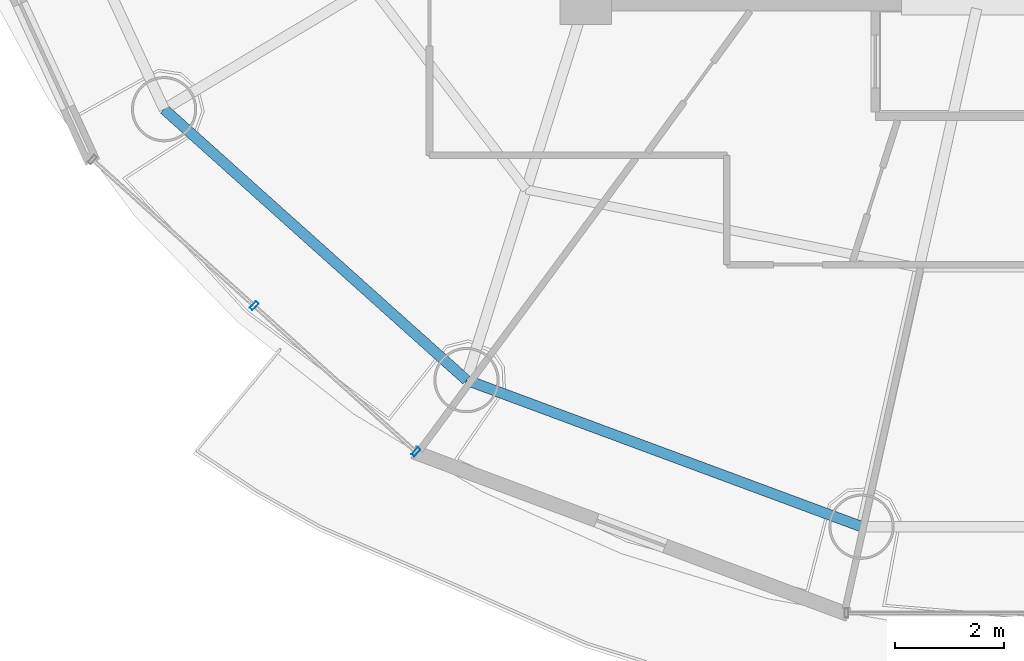
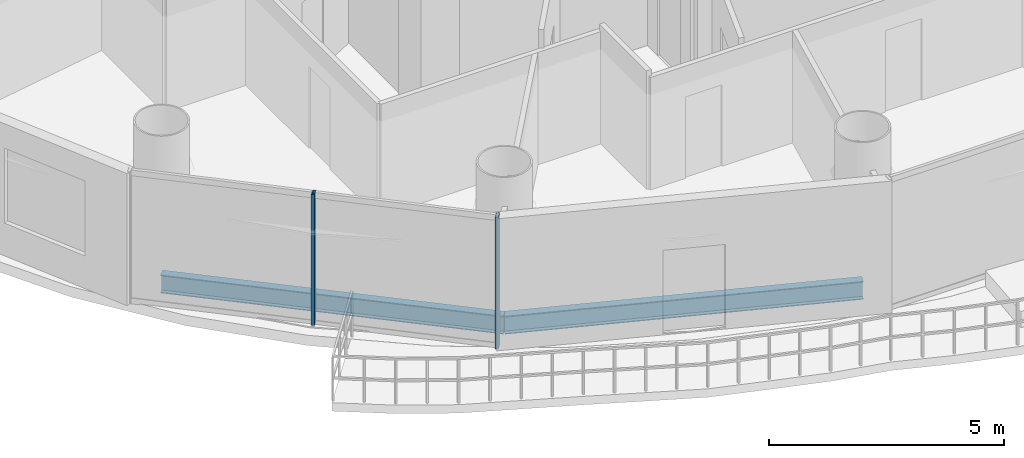
# One storey, part 2 of 27: 2 beams, 2 members, 1 element without a shape of its own.
"""IFC4 building model written with IfcOpenShell, lengths in metres."""

from ifc_helpers import new_model, si_unit, direction, frame, origin, origin_2d, place, context, subcontext, project, spatial, hollow_rectangle, i_section, extrude, source, transform, mapped, material, material_profile, profile_set, type_object, element, aggregate, save


model = new_model("IFC4")

# Units and contexts
model_context = context("Model", 3, precision=1e-05, world=origin(), true_north=direction((-0.2419218956, 0.970295726276)))
body_context = subcontext(model_context, "Body", "Model", "MODEL_VIEW")
ifc_project = project(units=[si_unit("LENGTHUNIT", "METRE"), si_unit("AREAUNIT", "SQUARE_METRE"), si_unit("VOLUMEUNIT", "CUBIC_METRE"), si_unit("PLANEANGLEUNIT", "RADIAN"), si_unit("MASSUNIT", "GRAM", prefix="KILO")], contexts=[model_context])

# Site, building, storey
site_placement = place(None, origin())
site = spatial("IfcSite", under=ifc_project, at=site_placement, CompositionType="ELEMENT")
building_placement = place(site_placement, origin())
building = spatial("IfcBuilding", under=site, at=building_placement, Name="Cobrevalo Terracotta Tower", CompositionType="ELEMENT")
storey_placement = place(building_placement, frame((0.0, 0.0, 198.60009765625)))
storey = spatial("IfcBuildingStorey", under=building, at=storey_placement, Name="L52", CompositionType="ELEMENT", Elevation=198.60009765625)

# Beams
ifc_material_1 = material(Name="Steel S355", Category="steel")
ifc_material_profile_1 = material_profile(ifc_material_1, i_section(OverallWidth=0.194091796875, OverallDepth=0.468994140625, WebThickness=0.011474609375, FlangeThickness=0.0205078125, at=origin_2d()), Name="W 460x106")
ifc_profile_set_1 = profile_set([ifc_material_profile_1], Name="Steel S355")
beam_type = type_object("IfcBeamType", Name="Structural Spandrel W 460x106 (Steel S355)", PredefinedType="SPANDREL", material=ifc_profile_set_1)
beam_1_placement = place(storey_placement, frame((21.245849609375, 16.77197265625, -0.49951171875), z_axis=(0.744851930997, -0.667229796165, 0.0), x_axis=(0.667229796165, 0.744851930997, 0.0)))
element("IfcBeam", 1, at=beam_1_placement, inside=storey, type_object=beam_type, Name="L52 perimeter ring spandrel 10", PredefinedType="SPANDREL", context=body_context, shape_type="SweptSolid", body=[
    extrude(i_section(OverallWidth=0.194091796875, OverallDepth=0.468994140625, WebThickness=0.011474609375, FlangeThickness=0.0205078125, at=origin_2d()), origin(), (0.0, 0.0, 1.0), 7.463623046875),
])
beam_2_placement = place(storey_placement, frame((26.80517578125, 11.7919921875, -0.49951171875), z_axis=(0.937545996665, -0.347861328892, 0.0), x_axis=(0.347861328892, 0.937545996665, 0.0)))
element("IfcBeam", 2, at=beam_2_placement, inside=storey, type_object=beam_type, Name="L52 perimeter ring spandrel 11", PredefinedType="SPANDREL", context=body_context, shape_type="SweptSolid", body=[
    extrude(i_section(OverallWidth=0.194091796875, OverallDepth=0.468994140625, WebThickness=0.011474609375, FlangeThickness=0.0205078125, at=origin_2d()), origin(), (0.0, 0.0, 1.0), 7.74755859375),
])

# Curtain wall, members
ifc_material_2 = material(Name="Anodized aluminium", Category="aluminium")
curtain_wall_type = type_object("IfcCurtainWallType", Name="Mid-tower high-wind unitised curtain wall CW-U2", PredefinedType="NOTDEFINED", material=ifc_material_2)
curtain_wall_placement = place(storey_placement, origin())
curtain_wall = element("IfcCurtainWall", 3, at=curtain_wall_placement, inside=storey, type_object=curtain_wall_type, Name="L52 curtain wall CW-L52-S10", PredefinedType="NOTDEFINED")
ifc_material_profile_2 = material_profile(ifc_material_2, hollow_rectangle(XDim=0.070068359375, YDim=0.169921875, WallThickness=0.00439453125, at=origin_2d()), Name="CWM 70x170")
ifc_profile_set_2 = profile_set([ifc_material_profile_2], Name="Anodized aluminium")
member_type = type_object("IfcMemberType", Name="Upper tower unitised mullion 70x170", PredefinedType="MULLION", material=ifc_profile_set_2)
shared_shape = source(origin(), body_context, "Body", "SweptSolid", [
    extrude(hollow_rectangle(XDim=0.070068359375, YDim=0.169921875, WallThickness=0.00439453125, at=origin_2d()), origin(), (0.0, 0.0, 1.0), 3.434814453125),
])
member_1_placement = place(storey_placement, frame((22.902099609375, 13.158447265625, 0.0), z_axis=(0.0, 0.0, 1.0), x_axis=(0.741987542015, -0.670413668935, 0.0)))
member_1 = element("IfcMember", 4, at=member_1_placement, type_object=member_type, Name="CW-L52-S10 vertical mullion 02", PredefinedType="MULLION", context=body_context, shape_type="MappedRepresentation", body=[
    mapped(shared_shape, transform((0.0, 0.0, 0.0), scale=1.0)),
])
member_2_placement = place(storey_placement, frame((25.87548828125, 10.471923828125, 0.0), z_axis=(0.0, 0.0, 1.0), x_axis=(0.741987542015, -0.670413668935, 0.0)))
member_2 = element("IfcMember", 5, at=member_2_placement, type_object=member_type, Name="CW-L52-S10 vertical mullion 03", PredefinedType="MULLION", context=body_context, shape_type="MappedRepresentation", body=[
    mapped(shared_shape, transform((0.0, 0.0, 0.0), scale=1.0)),
])
aggregate(curtain_wall, [member_1, member_2])

save(model, "model.ifc")
